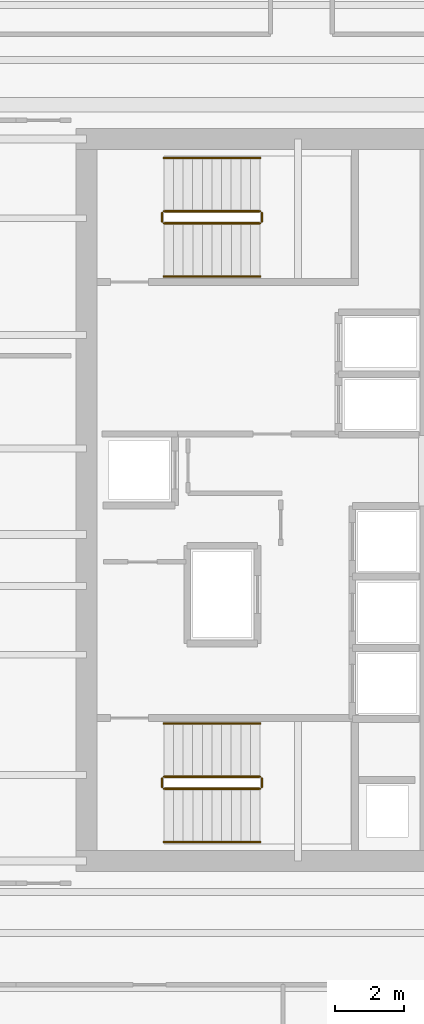
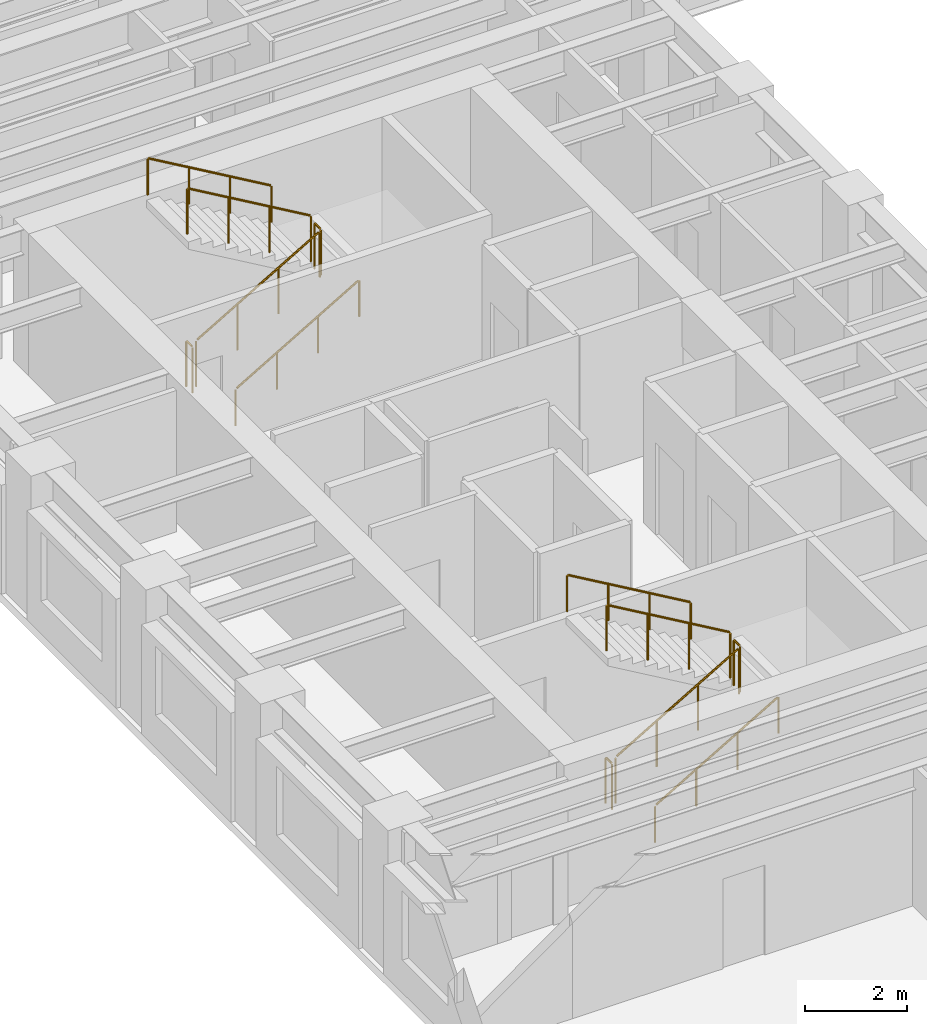
# One storey, part 12 of 13: 12 railings.
"""IFC4 building model written with IfcOpenShell, lengths in metres."""

from ifc_helpers import new_model, si_unit, direction, frame, origin, origin_2d, place, context, subcontext, project, spatial, circle, extrude, source, transform, mapped, material, layer, layer_set, type_object, element, save


model = new_model("IFC4")

# Units and contexts
model_context = context("Model", 3, precision=1e-05, world=origin(), true_north=direction((0.0, 1.0)))
body_context = subcontext(model_context, "Body", "Model", "MODEL_VIEW")
ifc_project = project(units=[si_unit("LENGTHUNIT", "METRE"), si_unit("AREAUNIT", "SQUARE_METRE"), si_unit("VOLUMEUNIT", "CUBIC_METRE"), si_unit("PLANEANGLEUNIT", "RADIAN"), si_unit("MASSUNIT", "GRAM", prefix="KILO")], contexts=[model_context])

# Site, building, storey
site_placement = place(None, origin())
site = spatial("IfcSite", under=ifc_project, at=site_placement, CompositionType="ELEMENT")
building_placement = place(site_placement, origin())
building = spatial("IfcBuilding", under=site, at=building_placement, Name="Kharzan Plaza Tower", CompositionType="ELEMENT")
storey_placement = place(building_placement, frame((0.0, 0.0, 153.89990234375)))
storey = spatial("IfcBuildingStorey", under=building, at=storey_placement, Name="L41", CompositionType="ELEMENT", Elevation=153.89990234375)

# Railings
ifc_material_1 = material(Name="Painted Galvanized Architectural Steel", Category="steel")
ifc_layer_1 = layer(ifc_material_1, 0.074951171875)
ifc_layer_set_1 = layer_set([ifc_layer_1], Name="Painted Galvanized Architectural Steel")
railing_type_1 = type_object("IfcRailingType", Name="RL-GUARD-1120", PredefinedType="BALUSTRADE", material=ifc_layer_set_1)
shared_shape_1 = source(origin(), body_context, "Body", "SweptSolid", [
    extrude(circle(Radius=0.02392578125, at=origin_2d()), frame((0.0, 0.0263671875, 1.09619140625), z_axis=(0.0, 1.0, 0.0), x_axis=(-1.0, 0.0, 0.0)), (0.0, 0.0, 1.0), 0.197021484375),
    extrude(circle(Radius=0.02099609375, at=origin_2d()), origin(), (0.0, 0.0, 1.0), 1.072021484375),
    extrude(circle(Radius=0.02099609375, at=origin_2d()), frame((0.0, 0.25, 0.0)), (0.0, 0.0, 1.0), 1.072021484375),
])
for number, where, name in (
    (1, (9.60009765625, 10.64990234375, 1.800048828125), "L41 ST-1 stair guard 2"),
    (2, (6.699951171875, 10.64990234375, 0.0), "L41 ST-1 stair guard 4"),
    (3, (9.60009765625, 27.10009765625, 1.800048828125), "L41 ST-2 stair guard 2"),
    (4, (6.699951171875, 27.10009765625, 0.0), "L41 ST-2 stair guard 4"),
):
    element("IfcRailing", number, at=place(storey_placement, frame(where)), inside=storey, type_object=railing_type_1, Name=name, PredefinedType="BALUSTRADE", context=body_context, shape_type="MappedRepresentation", body=[
        mapped(shared_shape_1, transform((0.0, 0.0, 0.0), x_axis=(1.0, 0.0, 0.0), y_axis=(0.0, 1.0, 0.0), z_axis=(0.0, 0.0, 1.0))),
    ])
shared_shape_2 = source(origin(), body_context, "Body", "SweptSolid", [
    extrude(circle(Radius=0.02392578125, at=origin_2d()), frame((-0.02294921875, 0.0, 1.109375), z_axis=(-0.863360870873, 0.0, 0.504586966384), x_axis=(0.0, -1.0, 0.0)), (0.0, 0.0, 1.0), 3.190185546875),
    extrude(circle(Radius=0.02099609375, at=origin_2d()), origin(), (0.0, 0.0, 1.0), 1.072021484375),
    extrude(circle(Radius=0.02099609375, at=origin_2d()), frame((-0.933349609375, 0.0, 0.54541015625)), (0.0, 0.0, 1.0), 1.072021484375),
    extrude(circle(Radius=0.02099609375, at=origin_2d()), frame((-1.86669921875, 0.0, 1.091064453125)), (0.0, 0.0, 1.0), 1.072021484375),
    extrude(circle(Radius=0.02099609375, at=origin_2d()), frame((-2.800048828125, 0.0, 1.636474609375)), (0.0, 0.0, 1.0), 1.072021484375),
])
for number, where, name in (
    (5, (9.550048828125, 10.949951171875, 1.963623046875), "L41 ST-1 stair guard 3"),
    (6, (9.550048828125, 27.39990234375, 1.963623046875), "L41 ST-2 stair guard 3"),
):
    element("IfcRailing", number, at=place(storey_placement, frame(where)), inside=storey, type_object=railing_type_1, Name=name, PredefinedType="BALUSTRADE", context=body_context, shape_type="MappedRepresentation", body=[
        mapped(shared_shape_2, transform((0.0, 0.0, 0.0), x_axis=(1.0, 0.0, 0.0), y_axis=(0.0, 1.0, 0.0), z_axis=(0.0, 0.0, 1.0))),
    ])
ifc_material_2 = material(Name="Brushed Stainless Steel", Category="steel")
ifc_layer_2 = layer(ifc_material_2, 0.050048828125)
ifc_layer_set_2 = layer_set([ifc_layer_2], Name="Brushed Stainless Steel")
railing_type_2 = type_object("IfcRailingType", Name="RL-STAIR-HR920", PredefinedType="HANDRAIL", material=ifc_layer_set_2)
shared_shape_3 = source(origin(), body_context, "Body", "SweptSolid", [
    extrude(circle(Radius=0.02392578125, at=origin_2d()), frame((-0.02294921875, 0.0, 0.88916015625), z_axis=(-0.863360870873, 0.0, 0.504586966384), x_axis=(0.0, -1.0, 0.0)), (0.0, 0.0, 1.0), 3.190185546875),
    extrude(circle(Radius=0.02099609375, at=origin_2d()), origin(), (0.0, 0.0, 1.0), 0.851806640625),
    extrude(circle(Radius=0.02099609375, at=origin_2d()), frame((-0.933349609375, 0.0, 0.54541015625)), (0.0, 0.0, 1.0), 0.851806640625),
    extrude(circle(Radius=0.02099609375, at=origin_2d()), frame((-1.86669921875, 0.0, 1.091064453125)), (0.0, 0.0, 1.0), 0.851806640625),
    extrude(circle(Radius=0.02099609375, at=origin_2d()), frame((-2.800048828125, 0.0, 1.636474609375)), (0.0, 0.0, 1.0), 0.851806640625),
])
for number, where, name in (
    (7, (9.550048828125, 12.5, 1.963623046875), "L41 ST-1 stair handrail 2"),
    (8, (9.550048828125, 28.949951171875, 1.963623046875), "L41 ST-2 stair handrail 2"),
):
    element("IfcRailing", number, at=place(storey_placement, frame(where)), inside=storey, type_object=railing_type_2, Name=name, PredefinedType="HANDRAIL", context=body_context, shape_type="MappedRepresentation", body=[
        mapped(shared_shape_3, transform((0.0, 0.0, 0.0), x_axis=(1.0, 0.0, 0.0), y_axis=(0.0, 1.0, 0.0), z_axis=(0.0, 0.0, 1.0))),
    ])
shared_shape_4 = source(origin(), body_context, "Body", "SweptSolid", [
    extrude(circle(Radius=0.02392578125, at=origin_2d()), frame((0.02294921875, 0.0, 1.109375), z_axis=(0.863393664356, 0.0, 0.504530851732), x_axis=(0.0, 1.0, 0.0)), (0.0, 0.0, 1.0), 3.190185546875),
    extrude(circle(Radius=0.02099609375, at=origin_2d()), origin(), (0.0, 0.0, 1.0), 1.072021484375),
    extrude(circle(Radius=0.02099609375, at=origin_2d()), frame((0.933349609375, 0.0, 0.54541015625)), (0.0, 0.0, 1.0), 1.072021484375),
    extrude(circle(Radius=0.02099609375, at=origin_2d()), frame((1.86669921875, 0.0, 1.0908203125)), (0.0, 0.0, 1.0), 1.072021484375),
    extrude(circle(Radius=0.02099609375, at=origin_2d()), frame((2.800048828125, 0.0, 1.63623046875)), (0.0, 0.0, 1.0), 1.072021484375),
])
for number, where, name in (
    (9, (6.75, 10.60009765625, 0.163818359375), "L41 ST-1 stair guard 1"),
    (10, (6.75, 27.050048828125, 0.163818359375), "L41 ST-2 stair guard 1"),
):
    element("IfcRailing", number, at=place(storey_placement, frame(where)), inside=storey, type_object=railing_type_1, Name=name, PredefinedType="BALUSTRADE", context=body_context, shape_type="MappedRepresentation", body=[
        mapped(shared_shape_4, transform((0.0, 0.0, 0.0), x_axis=(1.0, 0.0, 0.0), y_axis=(0.0, 1.0, 0.0), z_axis=(0.0, 0.0, 1.0))),
    ])
shared_shape_5 = source(origin(), body_context, "Body", "SweptSolid", [
    extrude(circle(Radius=0.02392578125, at=origin_2d()), frame((0.02294921875, 0.0, 0.88916015625), z_axis=(0.863393664356, 0.0, 0.504530851732), x_axis=(0.0, 1.0, 0.0)), (0.0, 0.0, 1.0), 3.190185546875),
    extrude(circle(Radius=0.02099609375, at=origin_2d()), origin(), (0.0, 0.0, 1.0), 0.851806640625),
    extrude(circle(Radius=0.02099609375, at=origin_2d()), frame((0.933349609375, 0.0, 0.54541015625)), (0.0, 0.0, 1.0), 0.851806640625),
    extrude(circle(Radius=0.02099609375, at=origin_2d()), frame((1.86669921875, 0.0, 1.0908203125)), (0.0, 0.0, 1.0), 0.851806640625),
    extrude(circle(Radius=0.02099609375, at=origin_2d()), frame((2.800048828125, 0.0, 1.63623046875)), (0.0, 0.0, 1.0), 0.851806640625),
])
for number, where, name in (
    (11, (6.75, 9.050048828125, 0.163818359375), "L41 ST-1 stair handrail 1"),
    (12, (6.75, 25.5, 0.163818359375), "L41 ST-2 stair handrail 1"),
):
    element("IfcRailing", number, at=place(storey_placement, frame(where)), inside=storey, type_object=railing_type_2, Name=name, PredefinedType="HANDRAIL", context=body_context, shape_type="MappedRepresentation", body=[
        mapped(shared_shape_5, transform((0.0, 0.0, 0.0), x_axis=(1.0, 0.0, 0.0), y_axis=(0.0, 1.0, 0.0), z_axis=(0.0, 0.0, 1.0))),
    ])

save(model, "model.ifc")
